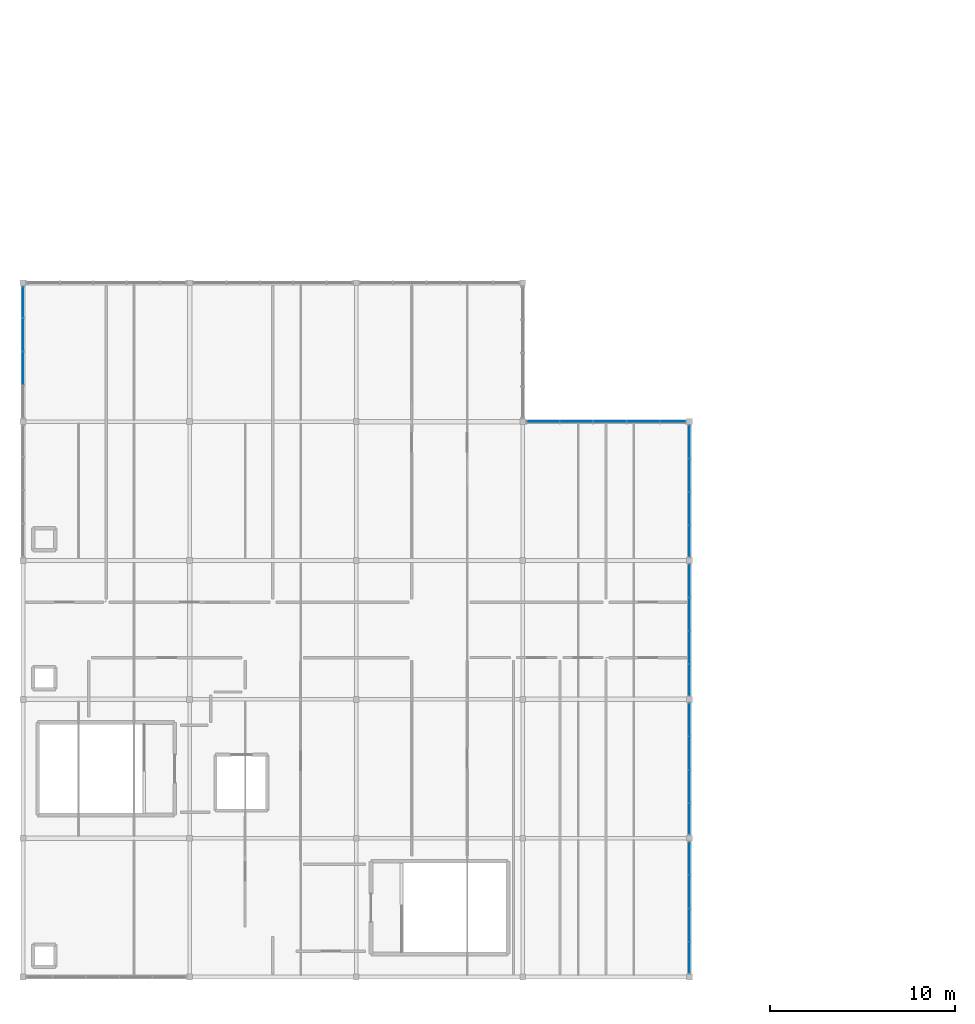
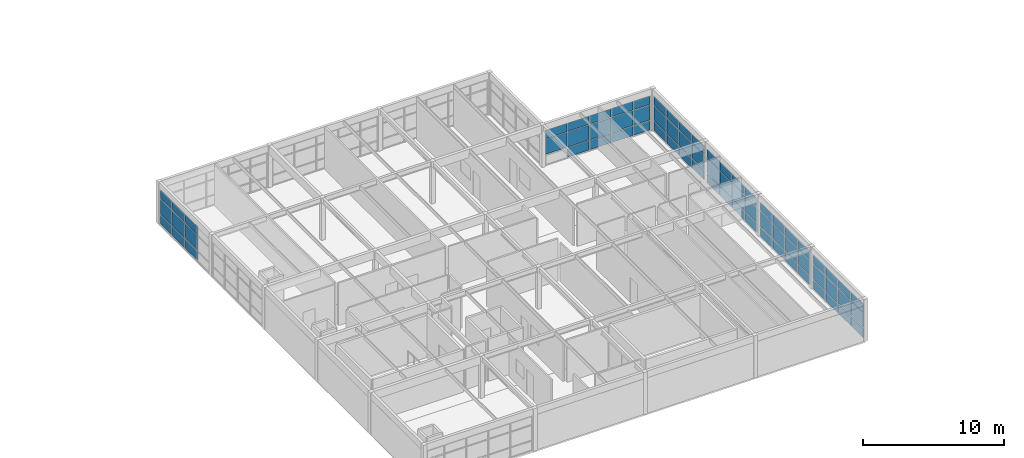
# One storey, part 12 of 24: 71 plates, 6 elements without a shape of their own.
"""IFC4 building model written with IfcOpenShell, lengths in metres."""

import ifcopenshell
import ifcopenshell.guid

model = None  # the IFC model being written
_history = None  # IfcOwnerHistory: only IFC2X3 demands one
_inside = {}  # id of a spatial element -> (the spatial element, [elements in it])
_under = {}  # id of a project, library or spatial element -> (it, [spatial elements below it])
_declared = {}  # id of a project -> (the project, [libraries it declares])
_typed = {}  # id of a type object -> (the type object, [elements of that type])
_made_of = {}  # id of a material, layer set ... -> (it, [elements and type objects made of it])


def new_model(schema):
    """Start an empty IFC model of exactly this schema.

    Asked for "IFC4X3", IfcOpenShell would pick the latest addendum, in which some entities
    have other attributes; the version numbers below select the first issue.
    IFC2X3 requires an IfcOwnerHistory on every rooted entity: one is made here for all.
    """
    global model, _history
    if schema == "IFC4X3":
        model = ifcopenshell.file(schema_version=(4, 3, 0, 0))
    else:
        model = ifcopenshell.file(schema=schema)
    _inside.clear()
    _under.clear()
    _declared.clear()
    _typed.clear()
    _made_of.clear()
    _history = None
    if model.schema == "IFC2X3":
        org = make("IfcOrganization", Name="unknown")
        user = make(
            "IfcPersonAndOrganization",
            ThePerson=make("IfcPerson", FamilyName="unknown"),
            TheOrganization=org,
        )
        app = make(
            "IfcApplication",
            ApplicationDeveloper=org,
            Version="unknown",
            ApplicationFullName="unknown",
            ApplicationIdentifier="unknown",
        )
        _history = make(
            "IfcOwnerHistory",
            OwningUser=user,
            OwningApplication=app,
            ChangeAction="ADDED",
            CreationDate=0,
        )
    return model


def make(cls, **values):
    """One entity of the class cls with the attributes given. An attribute that is None is left unset."""
    return model.create_entity(
        cls, **{name: value for name, value in values.items() if value is not None}
    )


def rooted(cls, **values):
    """An entity with a GlobalId (a new one), such as an element, a storey or a relation."""
    return make(cls, GlobalId=ifcopenshell.guid.new(), OwnerHistory=_history, **values)


def si_unit(unit_type, name, prefix=None):
    """IfcSIUnit, for example si_unit("LENGTHUNIT", "METRE", prefix="MILLI")."""
    return make("IfcSIUnit", UnitType=unit_type, Prefix=prefix, Name=name)


def assignment(units):
    """IfcUnitAssignment: the units of a project."""
    return None if units is None else make("IfcUnitAssignment", Units=units)


def point(xyz):
    """IfcCartesianPoint."""
    return None if xyz is None else make("IfcCartesianPoint", Coordinates=xyz)


def direction(xyz):
    """IfcDirection."""
    return None if xyz is None else make("IfcDirection", DirectionRatios=xyz)


def frame(location, z_axis=None, x_axis=None):
    """IfcAxis2Placement3D, a coordinate frame: its origin and axes. An axis left out is left unset."""
    return make(
        "IfcAxis2Placement3D",
        Location=point(location),
        Axis=direction(z_axis),
        RefDirection=direction(x_axis),
    )


def frame_2d(location, x_axis=None):
    """IfcAxis2Placement2D, a coordinate frame in the plane: its origin and x axis."""
    return make(
        "IfcAxis2Placement2D", Location=point(location), RefDirection=direction(x_axis)
    )


def origin():
    """The frame at (0, 0, 0) with its axes left unset."""
    return frame((0.0, 0.0, 0.0))


def origin_2d():
    """The frame at (0, 0) in the plane with its x axis left unset."""
    return frame_2d((0.0, 0.0))


def place(relative_to, where):
    """IfcLocalPlacement: puts the frame where relative to a parent placement (None: the world)."""
    return make(
        "IfcLocalPlacement", PlacementRelTo=relative_to, RelativePlacement=where
    )


def context(
    kind, dimensions, precision=None, world=None, true_north=None, identifier=None
):
    """IfcGeometricRepresentationContext, for example the 3D "Model" context."""
    return make(
        "IfcGeometricRepresentationContext",
        ContextIdentifier=identifier,
        ContextType=kind,
        CoordinateSpaceDimension=dimensions,
        Precision=precision,
        WorldCoordinateSystem=world,
        TrueNorth=true_north,
    )


def subcontext(parent, identifier, kind, view, scale=None):
    """IfcGeometricRepresentationSubContext, for example "Body" below "Model"."""
    return make(
        "IfcGeometricRepresentationSubContext",
        ContextIdentifier=identifier,
        ContextType=kind,
        ParentContext=parent,
        TargetScale=scale,
        TargetView=view,
    )


def project(units=None, contexts=None):
    """IfcProject with its units and contexts."""
    return rooted(
        "IfcProject",
        Name="project",
        RepresentationContexts=contexts,
        UnitsInContext=assignment(units),
    )


def spatial(cls, under=None, at=None, **own):
    """A site, building, storey or space (cls), placed at a placement, below another one or the project."""
    s = rooted(cls, ObjectPlacement=at, **own)
    if under is not None:
        _under.setdefault(under.id(), (under, []))[1].append(s)
    return s


def profile(cls, at=None, kind="AREA", **sizes):
    """A parametric profile (cls). Its sizes go by their IFC names, for example OverallWidth=200.0."""
    return make(cls, ProfileType=kind, Position=at, **sizes)


def rectangle(**sizes):
    """IfcRectangleProfileDef."""
    return profile("IfcRectangleProfileDef", **sizes)


def extrude(swept, where, along, depth):
    """IfcExtrudedAreaSolid: the profile swept, set in the frame where, extruded along a direction by depth."""
    return make(
        "IfcExtrudedAreaSolid",
        SweptArea=swept,
        Position=where,
        ExtrudedDirection=direction(along),
        Depth=depth,
    )


def shape(context_of_items, identifier, shape_type, items):
    """IfcShapeRepresentation: the items that make up one representation, for example the "Body"."""
    return make(
        "IfcShapeRepresentation",
        ContextOfItems=context_of_items,
        RepresentationIdentifier=identifier,
        RepresentationType=shape_type,
        Items=items,
    )


def material(Name=None, Category=None):
    """IfcMaterial."""
    return make("IfcMaterial", Name=Name, Category=Category)


def layer(
    of_material, thickness, ventilated=None, Name=None, Category=None, Priority=None
):
    """IfcMaterialLayer: one layer of a wall or slab, of a material (None: an air gap)."""
    return make(
        "IfcMaterialLayer",
        Material=of_material,
        LayerThickness=thickness,
        IsVentilated=ventilated,
        Name=Name,
        Category=Category,
        Priority=Priority,
    )


def layer_set(layers, Name=None):
    """IfcMaterialLayerSet."""
    return make("IfcMaterialLayerSet", MaterialLayers=layers, LayerSetName=Name)


def made_of(thing, what):
    """Note that an element or type object is made of a material, layer set ...; save() writes the relation."""
    if what is not None:
        _made_of.setdefault(what.id(), (what, []))[1].append(thing)
    return thing


def type_object(cls, material=None, **own):
    """A type object (cls), such as IfcWallType, which elements share."""
    return made_of(rooted(cls, **own), material)


def element(
    cls,
    number,
    at=None,
    inside=None,
    cuts=None,
    type_object=None,
    material=None,
    context=None,
    identifier="Body",
    shape_type=None,
    held_by="IfcProductDefinitionShape",
    body=None,
    shapes=None,
    **own,
):
    """One element of the class cls, such as IfcWall. Its Tag is "e" and its number.

    at: its placement. inside: the storey or other place that contains it. cuts: it is an
    opening in that element (IfcRelVoidsElement). A single representation is given by context,
    identifier, shape_type and body (its items); several are given by shapes. held_by: the class
    of the entity that holds the representations. save() writes the other relations.
    """
    e = rooted(cls, Tag="e%d" % number, ObjectPlacement=at, **own)
    if body is not None:
        shapes = [shape(context, identifier, shape_type, body)]
    if shapes is not None:
        e.Representation = make(held_by, Representations=shapes)
    if inside is not None:
        _inside.setdefault(inside.id(), (inside, []))[1].append(e)
    if cuts is not None:
        rooted(
            "IfcRelVoidsElement", RelatingBuildingElement=cuts, RelatedOpeningElement=e
        )
    if type_object is not None:
        _typed.setdefault(type_object.id(), (type_object, []))[1].append(e)
    return made_of(e, material)


def aggregate(whole, parts):
    """IfcRelAggregates: a whole, such as a stair, and the parts it consists of."""
    return rooted("IfcRelAggregates", RelatingObject=whole, RelatedObjects=parts)


def save(model, path):
    """Write the relations noted so far, then the file.

    IfcRelAggregates (storeys below a building ...), IfcRelContainedInSpatialStructure (elements
    in a storey), IfcRelDefinesByType, IfcRelAssociatesMaterial and IfcRelDeclares: one each for
    every whole, place, type object, material and project.
    """
    for whole, parts in _under.values():
        aggregate(whole, parts)
    for where, things in _inside.values():
        rooted(
            "IfcRelContainedInSpatialStructure",
            RelatedElements=things,
            RelatingStructure=where,
        )
    for kind, things in _typed.values():
        rooted("IfcRelDefinesByType", RelatedObjects=things, RelatingType=kind)
    for what, things in _made_of.values():
        rooted("IfcRelAssociatesMaterial", RelatedObjects=things, RelatingMaterial=what)
    for by, libraries in _declared.values():
        rooted("IfcRelDeclares", RelatingContext=by, RelatedDefinitions=libraries)
    model.write(path)


model = new_model("IFC4")

# Units and contexts
model_context = context("Model", 3, precision=1e-05, world=origin(), true_north=direction((0.0, 1.0)))
body_context = subcontext(model_context, "Body", "Model", "MODEL_VIEW")
ifc_project = project(units=[si_unit("LENGTHUNIT", "METRE"), si_unit("AREAUNIT", "SQUARE_METRE"), si_unit("VOLUMEUNIT", "CUBIC_METRE"), si_unit("PLANEANGLEUNIT", "RADIAN"), si_unit("MASSUNIT", "GRAM", prefix="KILO")], contexts=[model_context])

# Site, building, storey
site_placement = place(None, origin())
site = spatial("IfcSite", under=ifc_project, at=site_placement, CompositionType="ELEMENT")
building_placement = place(site_placement, origin())
building = spatial("IfcBuilding", under=site, at=building_placement, Name="Marnridge Secondary College", CompositionType="ELEMENT")
storey_placement = place(building_placement, frame((0.0, 0.0, 16.10009765625)))
storey = spatial("IfcBuildingStorey", under=building, at=storey_placement, Name="L04", CompositionType="ELEMENT", Elevation=16.10009765625)

# Curtain wall, plates
ifc_material_1 = material(Name="Bronze-anodised aluminium and solar-control glazing", Category="aluminium")
ifc_layer_1 = layer(ifc_material_1, 0.199951171875)
ifc_layer_set_1 = layer_set([ifc_layer_1], Name="CW-MOD-1800")
curtain_wall_type = type_object("IfcCurtainWallType", Name="CW-MOD-1800", PredefinedType="NOTDEFINED", material=ifc_layer_set_1)
curtain_wall_1_placement = place(storey_placement, origin())
curtain_wall_1 = element("IfcCurtainWall", 1, at=curtain_wall_1_placement, inside=storey, type_object=curtain_wall_type, Name="Unitised curtain wall CW-L04-144", PredefinedType="NOTDEFINED")
ifc_material_2 = material(Name="Acoustic laminated solar-control double glazing", Category="glass")
ifc_layer_2 = layer(ifc_material_2, 0.035888671875)
ifc_layer_set_2 = layer_set([ifc_layer_2], Name="CWP-GLZ36")
plate_type = type_object("IfcPlateType", Name="CWP-GLZ36", PredefinedType="CURTAIN_PANEL", material=ifc_layer_set_2)
plate_1_placement = place(storey_placement, frame((28.096435546875, 30.0, 0.9326171875), z_axis=(0.0, 0.0, 1.0), x_axis=(1.0, 0.0, 0.0)))
plate_1 = element("IfcPlate", 2, at=plate_1_placement, type_object=plate_type, Name="CW-L04-144 panel 1.2", PredefinedType="CURTAIN_PANEL", context=body_context, shape_type="SweptSolid", body=[
    extrude(rectangle(XDim=1.72998046875, YDim=0.035888671875, at=origin_2d()), origin(), (0.0, 0.0, 1.0), 1.284912109375),
])
plate_2_placement = place(storey_placement, frame((28.096435546875, 30.0, 2.282470703125), z_axis=(0.0, 0.0, 1.0), x_axis=(1.0, 0.0, 0.0)))
plate_2 = element("IfcPlate", 3, at=plate_2_placement, type_object=plate_type, Name="CW-L04-144 panel 1.3", PredefinedType="CURTAIN_PANEL", context=body_context, shape_type="SweptSolid", body=[
    extrude(rectangle(XDim=1.72998046875, YDim=0.035888671875, at=origin_2d()), origin(), (0.0, 0.0, 1.0), 0.70947265625),
])
plate_3_placement = place(storey_placement, frame((29.896484375, 30.0, 0.06494140625), z_axis=(0.0, 0.0, 1.0), x_axis=(1.0, 0.0, 0.0)))
plate_3 = element("IfcPlate", 4, at=plate_3_placement, type_object=plate_type, Name="CW-L04-144 panel 2.1", PredefinedType="CURTAIN_PANEL", context=body_context, shape_type="SweptSolid", body=[
    extrude(rectangle(XDim=1.72998046875, YDim=0.035888671875, at=origin_2d()), origin(), (0.0, 0.0, 1.0), 0.802490234375),
])
plate_4_placement = place(storey_placement, frame((29.896484375, 30.0, 0.9326171875), z_axis=(0.0, 0.0, 1.0), x_axis=(1.0, 0.0, 0.0)))
plate_4 = element("IfcPlate", 5, at=plate_4_placement, type_object=plate_type, Name="CW-L04-144 panel 2.2", PredefinedType="CURTAIN_PANEL", context=body_context, shape_type="SweptSolid", body=[
    extrude(rectangle(XDim=1.72998046875, YDim=0.035888671875, at=origin_2d()), origin(), (0.0, 0.0, 1.0), 1.284912109375),
])
plate_5_placement = place(storey_placement, frame((29.896484375, 30.0, 2.282470703125), z_axis=(0.0, 0.0, 1.0), x_axis=(1.0, 0.0, 0.0)))
plate_5 = element("IfcPlate", 6, at=plate_5_placement, type_object=plate_type, Name="CW-L04-144 panel 2.3", PredefinedType="CURTAIN_PANEL", context=body_context, shape_type="SweptSolid", body=[
    extrude(rectangle(XDim=1.72998046875, YDim=0.035888671875, at=origin_2d()), origin(), (0.0, 0.0, 1.0), 0.70947265625),
])
plate_6_placement = place(storey_placement, frame((31.696533203125, 30.0, 0.06494140625), z_axis=(0.0, 0.0, 1.0), x_axis=(1.0, 0.0, 0.0)))
plate_6 = element("IfcPlate", 7, at=plate_6_placement, type_object=plate_type, Name="CW-L04-144 panel 3.1", PredefinedType="CURTAIN_PANEL", context=body_context, shape_type="SweptSolid", body=[
    extrude(rectangle(XDim=1.72998046875, YDim=0.035888671875, at=origin_2d()), origin(), (0.0, 0.0, 1.0), 0.802490234375),
])
plate_7_placement = place(storey_placement, frame((31.696533203125, 30.0, 0.9326171875), z_axis=(0.0, 0.0, 1.0), x_axis=(1.0, 0.0, 0.0)))
plate_7 = element("IfcPlate", 8, at=plate_7_placement, type_object=plate_type, Name="CW-L04-144 panel 3.2", PredefinedType="CURTAIN_PANEL", context=body_context, shape_type="SweptSolid", body=[
    extrude(rectangle(XDim=1.72998046875, YDim=0.035888671875, at=origin_2d()), origin(), (0.0, 0.0, 1.0), 1.284912109375),
])
plate_8_placement = place(storey_placement, frame((31.696533203125, 30.0, 2.282470703125), z_axis=(0.0, 0.0, 1.0), x_axis=(1.0, 0.0, 0.0)))
plate_8 = element("IfcPlate", 9, at=plate_8_placement, type_object=plate_type, Name="CW-L04-144 panel 3.3", PredefinedType="CURTAIN_PANEL", context=body_context, shape_type="SweptSolid", body=[
    extrude(rectangle(XDim=1.72998046875, YDim=0.035888671875, at=origin_2d()), origin(), (0.0, 0.0, 1.0), 0.70947265625),
])
plate_9_placement = place(storey_placement, frame((33.49658203125, 30.0, 0.06494140625), z_axis=(0.0, 0.0, 1.0), x_axis=(1.0, 0.0, 0.0)))
plate_9 = element("IfcPlate", 10, at=plate_9_placement, type_object=plate_type, Name="CW-L04-144 panel 4.1", PredefinedType="CURTAIN_PANEL", context=body_context, shape_type="SweptSolid", body=[
    extrude(rectangle(XDim=1.72998046875, YDim=0.035888671875, at=origin_2d()), origin(), (0.0, 0.0, 1.0), 0.802490234375),
])
plate_10_placement = place(storey_placement, frame((33.49658203125, 30.0, 0.9326171875), z_axis=(0.0, 0.0, 1.0), x_axis=(1.0, 0.0, 0.0)))
plate_10 = element("IfcPlate", 11, at=plate_10_placement, type_object=plate_type, Name="CW-L04-144 panel 4.2", PredefinedType="CURTAIN_PANEL", context=body_context, shape_type="SweptSolid", body=[
    extrude(rectangle(XDim=1.72998046875, YDim=0.035888671875, at=origin_2d()), origin(), (0.0, 0.0, 1.0), 1.284912109375),
])
plate_11_placement = place(storey_placement, frame((33.49658203125, 30.0, 2.282470703125), z_axis=(0.0, 0.0, 1.0), x_axis=(1.0, 0.0, 0.0)))
plate_11 = element("IfcPlate", 12, at=plate_11_placement, type_object=plate_type, Name="CW-L04-144 panel 4.3", PredefinedType="CURTAIN_PANEL", context=body_context, shape_type="SweptSolid", body=[
    extrude(rectangle(XDim=1.72998046875, YDim=0.035888671875, at=origin_2d()), origin(), (0.0, 0.0, 1.0), 0.70947265625),
])
plate_12_placement = place(storey_placement, frame((35.10009765625, 30.0, 0.06494140625), z_axis=(0.0, 0.0, 1.0), x_axis=(1.0, 0.0, 0.0)))
plate_12 = element("IfcPlate", 13, at=plate_12_placement, type_object=plate_type, Name="CW-L04-144 panel 5.1", PredefinedType="CURTAIN_PANEL", context=body_context, shape_type="SweptSolid", body=[
    extrude(rectangle(XDim=1.3369140625, YDim=0.035888671875, at=origin_2d()), origin(), (0.0, 0.0, 1.0), 0.802490234375),
])
plate_13_placement = place(storey_placement, frame((35.10009765625, 30.0, 0.9326171875), z_axis=(0.0, 0.0, 1.0), x_axis=(1.0, 0.0, 0.0)))
plate_13 = element("IfcPlate", 14, at=plate_13_placement, type_object=plate_type, Name="CW-L04-144 panel 5.2", PredefinedType="CURTAIN_PANEL", context=body_context, shape_type="SweptSolid", body=[
    extrude(rectangle(XDim=1.3369140625, YDim=0.035888671875, at=origin_2d()), origin(), (0.0, 0.0, 1.0), 1.284912109375),
])
plate_14_placement = place(storey_placement, frame((35.10009765625, 30.0, 2.282470703125), z_axis=(0.0, 0.0, 1.0), x_axis=(1.0, 0.0, 0.0)))
plate_14 = element("IfcPlate", 15, at=plate_14_placement, type_object=plate_type, Name="CW-L04-144 panel 5.3", PredefinedType="CURTAIN_PANEL", context=body_context, shape_type="SweptSolid", body=[
    extrude(rectangle(XDim=1.3369140625, YDim=0.035888671875, at=origin_2d()), origin(), (0.0, 0.0, 1.0), 0.70947265625),
])
aggregate(curtain_wall_1, [plate_1, plate_2, plate_3, plate_4, plate_5, plate_6, plate_7, plate_8, plate_9, plate_10, plate_11, plate_12, plate_13, plate_14])

curtain_wall_2_placement = place(storey_placement, origin())
curtain_wall_2 = element("IfcCurtainWall", 16, at=curtain_wall_2_placement, inside=storey, type_object=curtain_wall_type, Name="Unitised curtain wall CW-L04-145", PredefinedType="NOTDEFINED")
plate_15_placement = place(storey_placement, frame((36.0, 28.903564453125, 0.06494140625), z_axis=(0.0, 0.0, 1.0), x_axis=(0.0, -1.0, 0.0)))
plate_15 = element("IfcPlate", 17, at=plate_15_placement, type_object=plate_type, Name="CW-L04-145 panel 1.1", PredefinedType="CURTAIN_PANEL", context=body_context, shape_type="SweptSolid", body=[
    extrude(rectangle(XDim=1.72998046875, YDim=0.035888671875, at=origin_2d()), origin(), (0.0, 0.0, 1.0), 0.802490234375),
])
plate_16_placement = place(storey_placement, frame((36.0, 28.903564453125, 0.9326171875), z_axis=(0.0, 0.0, 1.0), x_axis=(0.0, -1.0, 0.0)))
plate_16 = element("IfcPlate", 18, at=plate_16_placement, type_object=plate_type, Name="CW-L04-145 panel 1.2", PredefinedType="CURTAIN_PANEL", context=body_context, shape_type="SweptSolid", body=[
    extrude(rectangle(XDim=1.72998046875, YDim=0.035888671875, at=origin_2d()), origin(), (0.0, 0.0, 1.0), 1.284912109375),
])
plate_17_placement = place(storey_placement, frame((36.0, 28.903564453125, 2.282470703125), z_axis=(0.0, 0.0, 1.0), x_axis=(0.0, -1.0, 0.0)))
plate_17 = element("IfcPlate", 19, at=plate_17_placement, type_object=plate_type, Name="CW-L04-145 panel 1.3", PredefinedType="CURTAIN_PANEL", context=body_context, shape_type="SweptSolid", body=[
    extrude(rectangle(XDim=1.72998046875, YDim=0.035888671875, at=origin_2d()), origin(), (0.0, 0.0, 1.0), 0.70947265625),
])
plate_18_placement = place(storey_placement, frame((36.0, 27.103515625, 0.06494140625), z_axis=(0.0, 0.0, 1.0), x_axis=(0.0, -1.0, 0.0)))
plate_18 = element("IfcPlate", 20, at=plate_18_placement, type_object=plate_type, Name="CW-L04-145 panel 2.1", PredefinedType="CURTAIN_PANEL", context=body_context, shape_type="SweptSolid", body=[
    extrude(rectangle(XDim=1.72998046875, YDim=0.035888671875, at=origin_2d()), origin(), (0.0, 0.0, 1.0), 0.802490234375),
])
plate_19_placement = place(storey_placement, frame((36.0, 27.103515625, 0.9326171875), z_axis=(0.0, 0.0, 1.0), x_axis=(0.0, -1.0, 0.0)))
plate_19 = element("IfcPlate", 21, at=plate_19_placement, type_object=plate_type, Name="CW-L04-145 panel 2.2", PredefinedType="CURTAIN_PANEL", context=body_context, shape_type="SweptSolid", body=[
    extrude(rectangle(XDim=1.72998046875, YDim=0.035888671875, at=origin_2d()), origin(), (0.0, 0.0, 1.0), 1.284912109375),
])
plate_20_placement = place(storey_placement, frame((36.0, 27.103515625, 2.282470703125), z_axis=(0.0, 0.0, 1.0), x_axis=(0.0, -1.0, 0.0)))
plate_20 = element("IfcPlate", 22, at=plate_20_placement, type_object=plate_type, Name="CW-L04-145 panel 2.3", PredefinedType="CURTAIN_PANEL", context=body_context, shape_type="SweptSolid", body=[
    extrude(rectangle(XDim=1.72998046875, YDim=0.035888671875, at=origin_2d()), origin(), (0.0, 0.0, 1.0), 0.70947265625),
])
plate_21_placement = place(storey_placement, frame((36.0, 25.303466796875, 0.06494140625), z_axis=(0.0, 0.0, 1.0), x_axis=(0.0, -1.0, 0.0)))
plate_21 = element("IfcPlate", 23, at=plate_21_placement, type_object=plate_type, Name="CW-L04-145 panel 3.1", PredefinedType="CURTAIN_PANEL", context=body_context, shape_type="SweptSolid", body=[
    extrude(rectangle(XDim=1.72998046875, YDim=0.035888671875, at=origin_2d()), origin(), (0.0, 0.0, 1.0), 0.802490234375),
])
plate_22_placement = place(storey_placement, frame((36.0, 25.303466796875, 0.9326171875), z_axis=(0.0, 0.0, 1.0), x_axis=(0.0, -1.0, 0.0)))
plate_22 = element("IfcPlate", 24, at=plate_22_placement, type_object=plate_type, Name="CW-L04-145 panel 3.2", PredefinedType="CURTAIN_PANEL", context=body_context, shape_type="SweptSolid", body=[
    extrude(rectangle(XDim=1.72998046875, YDim=0.035888671875, at=origin_2d()), origin(), (0.0, 0.0, 1.0), 1.284912109375),
])
plate_23_placement = place(storey_placement, frame((36.0, 25.303466796875, 2.282470703125), z_axis=(0.0, 0.0, 1.0), x_axis=(0.0, -1.0, 0.0)))
plate_23 = element("IfcPlate", 25, at=plate_23_placement, type_object=plate_type, Name="CW-L04-145 panel 3.3", PredefinedType="CURTAIN_PANEL", context=body_context, shape_type="SweptSolid", body=[
    extrude(rectangle(XDim=1.72998046875, YDim=0.035888671875, at=origin_2d()), origin(), (0.0, 0.0, 1.0), 0.70947265625),
])
plate_24_placement = place(storey_placement, frame((36.0, 23.550048828125, 0.06494140625), z_axis=(0.0, 0.0, 1.0), x_axis=(0.0, -1.0, 0.0)))
plate_24 = element("IfcPlate", 26, at=plate_24_placement, type_object=plate_type, Name="CW-L04-145 panel 4.1", PredefinedType="CURTAIN_PANEL", context=body_context, shape_type="SweptSolid", body=[
    extrude(rectangle(XDim=1.636962890625, YDim=0.035888671875, at=origin_2d()), origin(), (0.0, 0.0, 1.0), 0.802490234375),
])
plate_25_placement = place(storey_placement, frame((36.0, 23.550048828125, 0.9326171875), z_axis=(0.0, 0.0, 1.0), x_axis=(0.0, -1.0, 0.0)))
plate_25 = element("IfcPlate", 27, at=plate_25_placement, type_object=plate_type, Name="CW-L04-145 panel 4.2", PredefinedType="CURTAIN_PANEL", context=body_context, shape_type="SweptSolid", body=[
    extrude(rectangle(XDim=1.636962890625, YDim=0.035888671875, at=origin_2d()), origin(), (0.0, 0.0, 1.0), 1.284912109375),
])
plate_26_placement = place(storey_placement, frame((36.0, 23.550048828125, 2.282470703125), z_axis=(0.0, 0.0, 1.0), x_axis=(0.0, -1.0, 0.0)))
plate_26 = element("IfcPlate", 28, at=plate_26_placement, type_object=plate_type, Name="CW-L04-145 panel 4.3", PredefinedType="CURTAIN_PANEL", context=body_context, shape_type="SweptSolid", body=[
    extrude(rectangle(XDim=1.636962890625, YDim=0.035888671875, at=origin_2d()), origin(), (0.0, 0.0, 1.0), 0.70947265625),
])
aggregate(curtain_wall_2, [plate_15, plate_16, plate_17, plate_18, plate_19, plate_20, plate_21, plate_22, plate_23, plate_24, plate_25, plate_26])

curtain_wall_3_placement = place(storey_placement, origin())
curtain_wall_3 = element("IfcCurtainWall", 29, at=curtain_wall_3_placement, inside=storey, type_object=curtain_wall_type, Name="Unitised curtain wall CW-L04-146", PredefinedType="NOTDEFINED")
plate_27_placement = place(storey_placement, frame((36.0, 21.403564453125, 0.06494140625), z_axis=(0.0, 0.0, 1.0), x_axis=(0.0, -1.0, 0.0)))
plate_27 = element("IfcPlate", 30, at=plate_27_placement, type_object=plate_type, Name="CW-L04-146 panel 1.1", PredefinedType="CURTAIN_PANEL", context=body_context, shape_type="SweptSolid", body=[
    extrude(rectangle(XDim=1.72998046875, YDim=0.035888671875, at=origin_2d()), origin(), (0.0, 0.0, 1.0), 0.802490234375),
])
plate_28_placement = place(storey_placement, frame((36.0, 21.403564453125, 0.9326171875), z_axis=(0.0, 0.0, 1.0), x_axis=(0.0, -1.0, 0.0)))
plate_28 = element("IfcPlate", 31, at=plate_28_placement, type_object=plate_type, Name="CW-L04-146 panel 1.2", PredefinedType="CURTAIN_PANEL", context=body_context, shape_type="SweptSolid", body=[
    extrude(rectangle(XDim=1.72998046875, YDim=0.035888671875, at=origin_2d()), origin(), (0.0, 0.0, 1.0), 1.284912109375),
])
plate_29_placement = place(storey_placement, frame((36.0, 21.403564453125, 2.282470703125), z_axis=(0.0, 0.0, 1.0), x_axis=(0.0, -1.0, 0.0)))
plate_29 = element("IfcPlate", 32, at=plate_29_placement, type_object=plate_type, Name="CW-L04-146 panel 1.3", PredefinedType="CURTAIN_PANEL", context=body_context, shape_type="SweptSolid", body=[
    extrude(rectangle(XDim=1.72998046875, YDim=0.035888671875, at=origin_2d()), origin(), (0.0, 0.0, 1.0), 0.70947265625),
])
plate_30_placement = place(storey_placement, frame((36.0, 19.603515625, 0.06494140625), z_axis=(0.0, 0.0, 1.0), x_axis=(0.0, -1.0, 0.0)))
plate_30 = element("IfcPlate", 33, at=plate_30_placement, type_object=plate_type, Name="CW-L04-146 panel 2.1", PredefinedType="CURTAIN_PANEL", context=body_context, shape_type="SweptSolid", body=[
    extrude(rectangle(XDim=1.72998046875, YDim=0.035888671875, at=origin_2d()), origin(), (0.0, 0.0, 1.0), 0.802490234375),
])
plate_31_placement = place(storey_placement, frame((36.0, 19.603515625, 0.9326171875), z_axis=(0.0, 0.0, 1.0), x_axis=(0.0, -1.0, 0.0)))
plate_31 = element("IfcPlate", 34, at=plate_31_placement, type_object=plate_type, Name="CW-L04-146 panel 2.2", PredefinedType="CURTAIN_PANEL", context=body_context, shape_type="SweptSolid", body=[
    extrude(rectangle(XDim=1.72998046875, YDim=0.035888671875, at=origin_2d()), origin(), (0.0, 0.0, 1.0), 1.284912109375),
])
plate_32_placement = place(storey_placement, frame((36.0, 19.603515625, 2.282470703125), z_axis=(0.0, 0.0, 1.0), x_axis=(0.0, -1.0, 0.0)))
plate_32 = element("IfcPlate", 35, at=plate_32_placement, type_object=plate_type, Name="CW-L04-146 panel 2.3", PredefinedType="CURTAIN_PANEL", context=body_context, shape_type="SweptSolid", body=[
    extrude(rectangle(XDim=1.72998046875, YDim=0.035888671875, at=origin_2d()), origin(), (0.0, 0.0, 1.0), 0.70947265625),
])
plate_33_placement = place(storey_placement, frame((36.0, 17.803466796875, 0.06494140625), z_axis=(0.0, 0.0, 1.0), x_axis=(0.0, -1.0, 0.0)))
plate_33 = element("IfcPlate", 36, at=plate_33_placement, type_object=plate_type, Name="CW-L04-146 panel 3.1", PredefinedType="CURTAIN_PANEL", context=body_context, shape_type="SweptSolid", body=[
    extrude(rectangle(XDim=1.72998046875, YDim=0.035888671875, at=origin_2d()), origin(), (0.0, 0.0, 1.0), 0.802490234375),
])
plate_34_placement = place(storey_placement, frame((36.0, 17.803466796875, 0.9326171875), z_axis=(0.0, 0.0, 1.0), x_axis=(0.0, -1.0, 0.0)))
plate_34 = element("IfcPlate", 37, at=plate_34_placement, type_object=plate_type, Name="CW-L04-146 panel 3.2", PredefinedType="CURTAIN_PANEL", context=body_context, shape_type="SweptSolid", body=[
    extrude(rectangle(XDim=1.72998046875, YDim=0.035888671875, at=origin_2d()), origin(), (0.0, 0.0, 1.0), 1.284912109375),
])
plate_35_placement = place(storey_placement, frame((36.0, 17.803466796875, 2.282470703125), z_axis=(0.0, 0.0, 1.0), x_axis=(0.0, -1.0, 0.0)))
plate_35 = element("IfcPlate", 38, at=plate_35_placement, type_object=plate_type, Name="CW-L04-146 panel 3.3", PredefinedType="CURTAIN_PANEL", context=body_context, shape_type="SweptSolid", body=[
    extrude(rectangle(XDim=1.72998046875, YDim=0.035888671875, at=origin_2d()), origin(), (0.0, 0.0, 1.0), 0.70947265625),
])
plate_36_placement = place(storey_placement, frame((36.0, 16.050048828125, 0.06494140625), z_axis=(0.0, 0.0, 1.0), x_axis=(0.0, -1.0, 0.0)))
plate_36 = element("IfcPlate", 39, at=plate_36_placement, type_object=plate_type, Name="CW-L04-146 panel 4.1", PredefinedType="CURTAIN_PANEL", context=body_context, shape_type="SweptSolid", body=[
    extrude(rectangle(XDim=1.636962890625, YDim=0.035888671875, at=origin_2d()), origin(), (0.0, 0.0, 1.0), 0.802490234375),
])
plate_37_placement = place(storey_placement, frame((36.0, 16.050048828125, 0.9326171875), z_axis=(0.0, 0.0, 1.0), x_axis=(0.0, -1.0, 0.0)))
plate_37 = element("IfcPlate", 40, at=plate_37_placement, type_object=plate_type, Name="CW-L04-146 panel 4.2", PredefinedType="CURTAIN_PANEL", context=body_context, shape_type="SweptSolid", body=[
    extrude(rectangle(XDim=1.636962890625, YDim=0.035888671875, at=origin_2d()), origin(), (0.0, 0.0, 1.0), 1.284912109375),
])
plate_38_placement = place(storey_placement, frame((36.0, 16.050048828125, 2.282470703125), z_axis=(0.0, 0.0, 1.0), x_axis=(0.0, -1.0, 0.0)))
plate_38 = element("IfcPlate", 41, at=plate_38_placement, type_object=plate_type, Name="CW-L04-146 panel 4.3", PredefinedType="CURTAIN_PANEL", context=body_context, shape_type="SweptSolid", body=[
    extrude(rectangle(XDim=1.636962890625, YDim=0.035888671875, at=origin_2d()), origin(), (0.0, 0.0, 1.0), 0.70947265625),
])
aggregate(curtain_wall_3, [plate_27, plate_28, plate_29, plate_30, plate_31, plate_32, plate_33, plate_34, plate_35, plate_36, plate_37, plate_38])

curtain_wall_4_placement = place(storey_placement, origin())
curtain_wall_4 = element("IfcCurtainWall", 42, at=curtain_wall_4_placement, inside=storey, type_object=curtain_wall_type, Name="Unitised curtain wall CW-L04-147", PredefinedType="NOTDEFINED")
plate_39_placement = place(storey_placement, frame((36.0, 13.903564453125, 0.06494140625), z_axis=(0.0, 0.0, 1.0), x_axis=(0.0, -1.0, 0.0)))
plate_39 = element("IfcPlate", 43, at=plate_39_placement, type_object=plate_type, Name="CW-L04-147 panel 1.1", PredefinedType="CURTAIN_PANEL", context=body_context, shape_type="SweptSolid", body=[
    extrude(rectangle(XDim=1.72998046875, YDim=0.035888671875, at=origin_2d()), origin(), (0.0, 0.0, 1.0), 0.802490234375),
])
plate_40_placement = place(storey_placement, frame((36.0, 13.903564453125, 0.9326171875), z_axis=(0.0, 0.0, 1.0), x_axis=(0.0, -1.0, 0.0)))
plate_40 = element("IfcPlate", 44, at=plate_40_placement, type_object=plate_type, Name="CW-L04-147 panel 1.2", PredefinedType="CURTAIN_PANEL", context=body_context, shape_type="SweptSolid", body=[
    extrude(rectangle(XDim=1.72998046875, YDim=0.035888671875, at=origin_2d()), origin(), (0.0, 0.0, 1.0), 1.284912109375),
])
plate_41_placement = place(storey_placement, frame((36.0, 13.903564453125, 2.282470703125), z_axis=(0.0, 0.0, 1.0), x_axis=(0.0, -1.0, 0.0)))
plate_41 = element("IfcPlate", 45, at=plate_41_placement, type_object=plate_type, Name="CW-L04-147 panel 1.3", PredefinedType="CURTAIN_PANEL", context=body_context, shape_type="SweptSolid", body=[
    extrude(rectangle(XDim=1.72998046875, YDim=0.035888671875, at=origin_2d()), origin(), (0.0, 0.0, 1.0), 0.70947265625),
])
plate_42_placement = place(storey_placement, frame((36.0, 12.103515625, 0.06494140625), z_axis=(0.0, 0.0, 1.0), x_axis=(0.0, -1.0, 0.0)))
plate_42 = element("IfcPlate", 46, at=plate_42_placement, type_object=plate_type, Name="CW-L04-147 panel 2.1", PredefinedType="CURTAIN_PANEL", context=body_context, shape_type="SweptSolid", body=[
    extrude(rectangle(XDim=1.72998046875, YDim=0.035888671875, at=origin_2d()), origin(), (0.0, 0.0, 1.0), 0.802490234375),
])
plate_43_placement = place(storey_placement, frame((36.0, 12.103515625, 0.9326171875), z_axis=(0.0, 0.0, 1.0), x_axis=(0.0, -1.0, 0.0)))
plate_43 = element("IfcPlate", 47, at=plate_43_placement, type_object=plate_type, Name="CW-L04-147 panel 2.2", PredefinedType="CURTAIN_PANEL", context=body_context, shape_type="SweptSolid", body=[
    extrude(rectangle(XDim=1.72998046875, YDim=0.035888671875, at=origin_2d()), origin(), (0.0, 0.0, 1.0), 1.284912109375),
])
plate_44_placement = place(storey_placement, frame((36.0, 12.103515625, 2.282470703125), z_axis=(0.0, 0.0, 1.0), x_axis=(0.0, -1.0, 0.0)))
plate_44 = element("IfcPlate", 48, at=plate_44_placement, type_object=plate_type, Name="CW-L04-147 panel 2.3", PredefinedType="CURTAIN_PANEL", context=body_context, shape_type="SweptSolid", body=[
    extrude(rectangle(XDim=1.72998046875, YDim=0.035888671875, at=origin_2d()), origin(), (0.0, 0.0, 1.0), 0.70947265625),
])
plate_45_placement = place(storey_placement, frame((36.0, 10.303466796875, 0.06494140625), z_axis=(0.0, 0.0, 1.0), x_axis=(0.0, -1.0, 0.0)))
plate_45 = element("IfcPlate", 49, at=plate_45_placement, type_object=plate_type, Name="CW-L04-147 panel 3.1", PredefinedType="CURTAIN_PANEL", context=body_context, shape_type="SweptSolid", body=[
    extrude(rectangle(XDim=1.72998046875, YDim=0.035888671875, at=origin_2d()), origin(), (0.0, 0.0, 1.0), 0.802490234375),
])
plate_46_placement = place(storey_placement, frame((36.0, 10.303466796875, 0.9326171875), z_axis=(0.0, 0.0, 1.0), x_axis=(0.0, -1.0, 0.0)))
plate_46 = element("IfcPlate", 50, at=plate_46_placement, type_object=plate_type, Name="CW-L04-147 panel 3.2", PredefinedType="CURTAIN_PANEL", context=body_context, shape_type="SweptSolid", body=[
    extrude(rectangle(XDim=1.72998046875, YDim=0.035888671875, at=origin_2d()), origin(), (0.0, 0.0, 1.0), 1.284912109375),
])
plate_47_placement = place(storey_placement, frame((36.0, 10.303466796875, 2.282470703125), z_axis=(0.0, 0.0, 1.0), x_axis=(0.0, -1.0, 0.0)))
plate_47 = element("IfcPlate", 51, at=plate_47_placement, type_object=plate_type, Name="CW-L04-147 panel 3.3", PredefinedType="CURTAIN_PANEL", context=body_context, shape_type="SweptSolid", body=[
    extrude(rectangle(XDim=1.72998046875, YDim=0.035888671875, at=origin_2d()), origin(), (0.0, 0.0, 1.0), 0.70947265625),
])
plate_48_placement = place(storey_placement, frame((36.0, 8.550048828125, 0.06494140625), z_axis=(0.0, 0.0, 1.0), x_axis=(0.0, -1.0, 0.0)))
plate_48 = element("IfcPlate", 52, at=plate_48_placement, type_object=plate_type, Name="CW-L04-147 panel 4.1", PredefinedType="CURTAIN_PANEL", context=body_context, shape_type="SweptSolid", body=[
    extrude(rectangle(XDim=1.636962890625, YDim=0.035888671875, at=origin_2d()), origin(), (0.0, 0.0, 1.0), 0.802490234375),
])
plate_49_placement = place(storey_placement, frame((36.0, 8.550048828125, 0.9326171875), z_axis=(0.0, 0.0, 1.0), x_axis=(0.0, -1.0, 0.0)))
plate_49 = element("IfcPlate", 53, at=plate_49_placement, type_object=plate_type, Name="CW-L04-147 panel 4.2", PredefinedType="CURTAIN_PANEL", context=body_context, shape_type="SweptSolid", body=[
    extrude(rectangle(XDim=1.636962890625, YDim=0.035888671875, at=origin_2d()), origin(), (0.0, 0.0, 1.0), 1.284912109375),
])
plate_50_placement = place(storey_placement, frame((36.0, 8.550048828125, 2.282470703125), z_axis=(0.0, 0.0, 1.0), x_axis=(0.0, -1.0, 0.0)))
plate_50 = element("IfcPlate", 54, at=plate_50_placement, type_object=plate_type, Name="CW-L04-147 panel 4.3", PredefinedType="CURTAIN_PANEL", context=body_context, shape_type="SweptSolid", body=[
    extrude(rectangle(XDim=1.636962890625, YDim=0.035888671875, at=origin_2d()), origin(), (0.0, 0.0, 1.0), 0.70947265625),
])
aggregate(curtain_wall_4, [plate_39, plate_40, plate_41, plate_42, plate_43, plate_44, plate_45, plate_46, plate_47, plate_48, plate_49, plate_50])

curtain_wall_5_placement = place(storey_placement, origin())
curtain_wall_5 = element("IfcCurtainWall", 55, at=curtain_wall_5_placement, inside=storey, type_object=curtain_wall_type, Name="Unitised curtain wall CW-L04-148", PredefinedType="NOTDEFINED")
plate_51_placement = place(storey_placement, frame((36.0, 6.403564453125, 0.06494140625), z_axis=(0.0, 0.0, 1.0), x_axis=(0.0, -1.0, 0.0)))
plate_51 = element("IfcPlate", 56, at=plate_51_placement, type_object=plate_type, Name="CW-L04-148 panel 1.1", PredefinedType="CURTAIN_PANEL", context=body_context, shape_type="SweptSolid", body=[
    extrude(rectangle(XDim=1.72998046875, YDim=0.035888671875, at=origin_2d()), origin(), (0.0, 0.0, 1.0), 0.802490234375),
])
plate_52_placement = place(storey_placement, frame((36.0, 6.403564453125, 0.9326171875), z_axis=(0.0, 0.0, 1.0), x_axis=(0.0, -1.0, 0.0)))
plate_52 = element("IfcPlate", 57, at=plate_52_placement, type_object=plate_type, Name="CW-L04-148 panel 1.2", PredefinedType="CURTAIN_PANEL", context=body_context, shape_type="SweptSolid", body=[
    extrude(rectangle(XDim=1.72998046875, YDim=0.035888671875, at=origin_2d()), origin(), (0.0, 0.0, 1.0), 1.284912109375),
])
plate_53_placement = place(storey_placement, frame((36.0, 6.403564453125, 2.282470703125), z_axis=(0.0, 0.0, 1.0), x_axis=(0.0, -1.0, 0.0)))
plate_53 = element("IfcPlate", 58, at=plate_53_placement, type_object=plate_type, Name="CW-L04-148 panel 1.3", PredefinedType="CURTAIN_PANEL", context=body_context, shape_type="SweptSolid", body=[
    extrude(rectangle(XDim=1.72998046875, YDim=0.035888671875, at=origin_2d()), origin(), (0.0, 0.0, 1.0), 0.70947265625),
])
plate_54_placement = place(storey_placement, frame((36.0, 4.603515625, 0.06494140625), z_axis=(0.0, 0.0, 1.0), x_axis=(0.0, -1.0, 0.0)))
plate_54 = element("IfcPlate", 59, at=plate_54_placement, type_object=plate_type, Name="CW-L04-148 panel 2.1", PredefinedType="CURTAIN_PANEL", context=body_context, shape_type="SweptSolid", body=[
    extrude(rectangle(XDim=1.72998046875, YDim=0.035888671875, at=origin_2d()), origin(), (0.0, 0.0, 1.0), 0.802490234375),
])
plate_55_placement = place(storey_placement, frame((36.0, 4.603515625, 0.9326171875), z_axis=(0.0, 0.0, 1.0), x_axis=(0.0, -1.0, 0.0)))
plate_55 = element("IfcPlate", 60, at=plate_55_placement, type_object=plate_type, Name="CW-L04-148 panel 2.2", PredefinedType="CURTAIN_PANEL", context=body_context, shape_type="SweptSolid", body=[
    extrude(rectangle(XDim=1.72998046875, YDim=0.035888671875, at=origin_2d()), origin(), (0.0, 0.0, 1.0), 1.284912109375),
])
plate_56_placement = place(storey_placement, frame((36.0, 4.603515625, 2.282470703125), z_axis=(0.0, 0.0, 1.0), x_axis=(0.0, -1.0, 0.0)))
plate_56 = element("IfcPlate", 61, at=plate_56_placement, type_object=plate_type, Name="CW-L04-148 panel 2.3", PredefinedType="CURTAIN_PANEL", context=body_context, shape_type="SweptSolid", body=[
    extrude(rectangle(XDim=1.72998046875, YDim=0.035888671875, at=origin_2d()), origin(), (0.0, 0.0, 1.0), 0.70947265625),
])
plate_57_placement = place(storey_placement, frame((36.0, 2.803466796875, 0.06494140625), z_axis=(0.0, 0.0, 1.0), x_axis=(0.0, -1.0, 0.0)))
plate_57 = element("IfcPlate", 62, at=plate_57_placement, type_object=plate_type, Name="CW-L04-148 panel 3.1", PredefinedType="CURTAIN_PANEL", context=body_context, shape_type="SweptSolid", body=[
    extrude(rectangle(XDim=1.72998046875, YDim=0.035888671875, at=origin_2d()), origin(), (0.0, 0.0, 1.0), 0.802490234375),
])
plate_58_placement = place(storey_placement, frame((36.0, 2.803466796875, 0.9326171875), z_axis=(0.0, 0.0, 1.0), x_axis=(0.0, -1.0, 0.0)))
plate_58 = element("IfcPlate", 63, at=plate_58_placement, type_object=plate_type, Name="CW-L04-148 panel 3.2", PredefinedType="CURTAIN_PANEL", context=body_context, shape_type="SweptSolid", body=[
    extrude(rectangle(XDim=1.72998046875, YDim=0.035888671875, at=origin_2d()), origin(), (0.0, 0.0, 1.0), 1.284912109375),
])
plate_59_placement = place(storey_placement, frame((36.0, 2.803466796875, 2.282470703125), z_axis=(0.0, 0.0, 1.0), x_axis=(0.0, -1.0, 0.0)))
plate_59 = element("IfcPlate", 64, at=plate_59_placement, type_object=plate_type, Name="CW-L04-148 panel 3.3", PredefinedType="CURTAIN_PANEL", context=body_context, shape_type="SweptSolid", body=[
    extrude(rectangle(XDim=1.72998046875, YDim=0.035888671875, at=origin_2d()), origin(), (0.0, 0.0, 1.0), 0.70947265625),
])
plate_60_placement = place(storey_placement, frame((36.0, 1.050048828125, 0.06494140625), z_axis=(0.0, 0.0, 1.0), x_axis=(0.0, -1.0, 0.0)))
plate_60 = element("IfcPlate", 65, at=plate_60_placement, type_object=plate_type, Name="CW-L04-148 panel 4.1", PredefinedType="CURTAIN_PANEL", context=body_context, shape_type="SweptSolid", body=[
    extrude(rectangle(XDim=1.636962890625, YDim=0.035888671875, at=origin_2d()), origin(), (0.0, 0.0, 1.0), 0.802490234375),
])
plate_61_placement = place(storey_placement, frame((36.0, 1.050048828125, 0.9326171875), z_axis=(0.0, 0.0, 1.0), x_axis=(0.0, -1.0, 0.0)))
plate_61 = element("IfcPlate", 66, at=plate_61_placement, type_object=plate_type, Name="CW-L04-148 panel 4.2", PredefinedType="CURTAIN_PANEL", context=body_context, shape_type="SweptSolid", body=[
    extrude(rectangle(XDim=1.636962890625, YDim=0.035888671875, at=origin_2d()), origin(), (0.0, 0.0, 1.0), 1.284912109375),
])
plate_62_placement = place(storey_placement, frame((36.0, 1.050048828125, 2.282470703125), z_axis=(0.0, 0.0, 1.0), x_axis=(0.0, -1.0, 0.0)))
plate_62 = element("IfcPlate", 67, at=plate_62_placement, type_object=plate_type, Name="CW-L04-148 panel 4.3", PredefinedType="CURTAIN_PANEL", context=body_context, shape_type="SweptSolid", body=[
    extrude(rectangle(XDim=1.636962890625, YDim=0.035888671875, at=origin_2d()), origin(), (0.0, 0.0, 1.0), 0.70947265625),
])
aggregate(curtain_wall_5, [plate_51, plate_52, plate_53, plate_54, plate_55, plate_56, plate_57, plate_58, plate_59, plate_60, plate_61, plate_62])

curtain_wall_6_placement = place(storey_placement, origin())
curtain_wall_6 = element("IfcCurtainWall", 68, at=curtain_wall_6_placement, inside=storey, type_object=curtain_wall_type, Name="Unitised curtain wall CW-L04-151", PredefinedType="NOTDEFINED")
plate_63_placement = place(storey_placement, frame((0.0, 32.896484375, 0.06494140625), z_axis=(0.0, 0.0, 1.0), x_axis=(0.0, 1.0, 0.0)))
plate_63 = element("IfcPlate", 69, at=plate_63_placement, type_object=plate_type, Name="CW-L04-151 panel 2.1", PredefinedType="CURTAIN_PANEL", context=body_context, shape_type="SweptSolid", body=[
    extrude(rectangle(XDim=1.72998046875, YDim=0.035888671875, at=origin_2d()), origin(), (0.0, 0.0, 1.0), 0.802490234375),
])
plate_64_placement = place(storey_placement, frame((0.0, 32.896484375, 0.9326171875), z_axis=(0.0, 0.0, 1.0), x_axis=(0.0, 1.0, 0.0)))
plate_64 = element("IfcPlate", 70, at=plate_64_placement, type_object=plate_type, Name="CW-L04-151 panel 2.2", PredefinedType="CURTAIN_PANEL", context=body_context, shape_type="SweptSolid", body=[
    extrude(rectangle(XDim=1.72998046875, YDim=0.035888671875, at=origin_2d()), origin(), (0.0, 0.0, 1.0), 1.284912109375),
])
plate_65_placement = place(storey_placement, frame((0.0, 32.896484375, 2.282470703125), z_axis=(0.0, 0.0, 1.0), x_axis=(0.0, 1.0, 0.0)))
plate_65 = element("IfcPlate", 71, at=plate_65_placement, type_object=plate_type, Name="CW-L04-151 panel 2.3", PredefinedType="CURTAIN_PANEL", context=body_context, shape_type="SweptSolid", body=[
    extrude(rectangle(XDim=1.72998046875, YDim=0.035888671875, at=origin_2d()), origin(), (0.0, 0.0, 1.0), 0.70947265625),
])
plate_66_placement = place(storey_placement, frame((0.0, 34.696533203125, 0.06494140625), z_axis=(0.0, 0.0, 1.0), x_axis=(0.0, 1.0, 0.0)))
plate_66 = element("IfcPlate", 72, at=plate_66_placement, type_object=plate_type, Name="CW-L04-151 panel 3.1", PredefinedType="CURTAIN_PANEL", context=body_context, shape_type="SweptSolid", body=[
    extrude(rectangle(XDim=1.72998046875, YDim=0.035888671875, at=origin_2d()), origin(), (0.0, 0.0, 1.0), 0.802490234375),
])
plate_67_placement = place(storey_placement, frame((0.0, 34.696533203125, 0.9326171875), z_axis=(0.0, 0.0, 1.0), x_axis=(0.0, 1.0, 0.0)))
plate_67 = element("IfcPlate", 73, at=plate_67_placement, type_object=plate_type, Name="CW-L04-151 panel 3.2", PredefinedType="CURTAIN_PANEL", context=body_context, shape_type="SweptSolid", body=[
    extrude(rectangle(XDim=1.72998046875, YDim=0.035888671875, at=origin_2d()), origin(), (0.0, 0.0, 1.0), 1.284912109375),
])
plate_68_placement = place(storey_placement, frame((0.0, 34.696533203125, 2.282470703125), z_axis=(0.0, 0.0, 1.0), x_axis=(0.0, 1.0, 0.0)))
plate_68 = element("IfcPlate", 74, at=plate_68_placement, type_object=plate_type, Name="CW-L04-151 panel 3.3", PredefinedType="CURTAIN_PANEL", context=body_context, shape_type="SweptSolid", body=[
    extrude(rectangle(XDim=1.72998046875, YDim=0.035888671875, at=origin_2d()), origin(), (0.0, 0.0, 1.0), 0.70947265625),
])
plate_69_placement = place(storey_placement, frame((0.0, 36.449951171875, 0.06494140625), z_axis=(0.0, 0.0, 1.0), x_axis=(0.0, 1.0, 0.0)))
plate_69 = element("IfcPlate", 75, at=plate_69_placement, type_object=plate_type, Name="CW-L04-151 panel 4.1", PredefinedType="CURTAIN_PANEL", context=body_context, shape_type="SweptSolid", body=[
    extrude(rectangle(XDim=1.636962890625, YDim=0.035888671875, at=origin_2d()), origin(), (0.0, 0.0, 1.0), 0.802490234375),
])
plate_70_placement = place(storey_placement, frame((0.0, 36.449951171875, 0.9326171875), z_axis=(0.0, 0.0, 1.0), x_axis=(0.0, 1.0, 0.0)))
plate_70 = element("IfcPlate", 76, at=plate_70_placement, type_object=plate_type, Name="CW-L04-151 panel 4.2", PredefinedType="CURTAIN_PANEL", context=body_context, shape_type="SweptSolid", body=[
    extrude(rectangle(XDim=1.636962890625, YDim=0.035888671875, at=origin_2d()), origin(), (0.0, 0.0, 1.0), 1.284912109375),
])
plate_71_placement = place(storey_placement, frame((0.0, 36.449951171875, 2.282470703125), z_axis=(0.0, 0.0, 1.0), x_axis=(0.0, 1.0, 0.0)))
plate_71 = element("IfcPlate", 77, at=plate_71_placement, type_object=plate_type, Name="CW-L04-151 panel 4.3", PredefinedType="CURTAIN_PANEL", context=body_context, shape_type="SweptSolid", body=[
    extrude(rectangle(XDim=1.636962890625, YDim=0.035888671875, at=origin_2d()), origin(), (0.0, 0.0, 1.0), 0.70947265625),
])
aggregate(curtain_wall_6, [plate_63, plate_64, plate_65, plate_66, plate_67, plate_68, plate_69, plate_70, plate_71])

save(model, "model.ifc")
